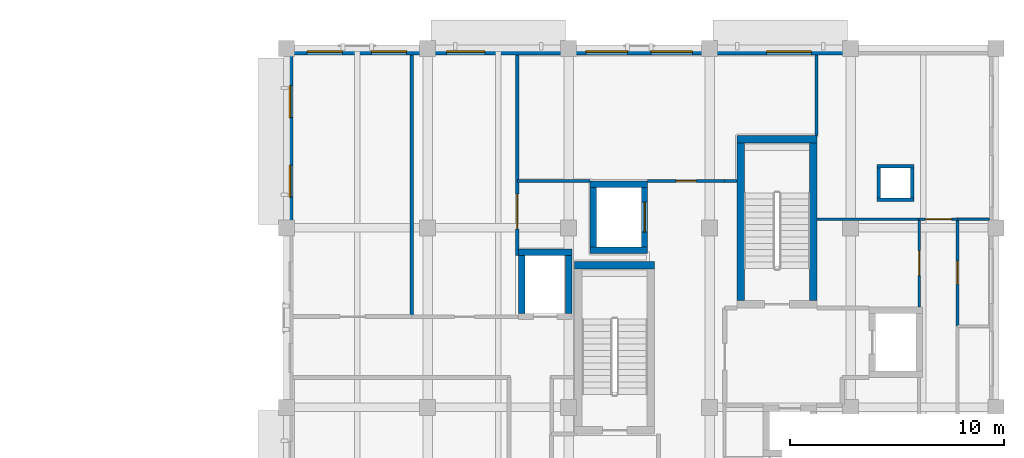
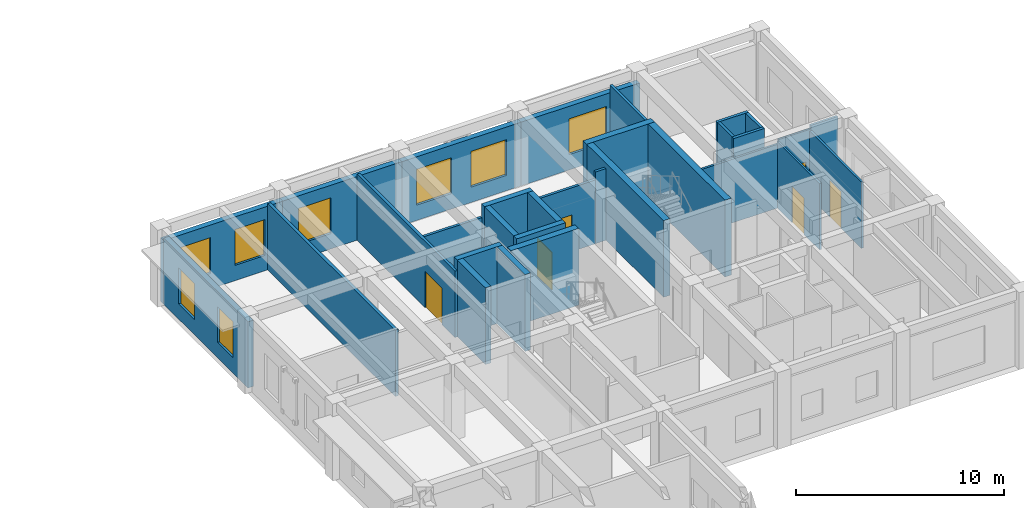
# One storey, part 14 of 25: 31 walls, 8 windows, 6 doors, 14 openings.
"""IFC4 building model written with IfcOpenShell, lengths in metres."""

from ifc_helpers import new_model, si_unit, direction, frame, frame_2d, origin, place, context, subcontext, project, spatial, rectangle, extrude, material, layer, layer_set, type_object, element, fill, save


model = new_model("IFC4")

# Units and contexts
model_context = context("Model", 3, precision=1e-05, world=origin(), true_north=direction((0.0, 1.0)))
body_context = subcontext(model_context, "Body", "Model", "MODEL_VIEW")
ifc_project = project(units=[si_unit("LENGTHUNIT", "METRE"), si_unit("AREAUNIT", "SQUARE_METRE"), si_unit("VOLUMEUNIT", "CUBIC_METRE"), si_unit("PLANEANGLEUNIT", "RADIAN"), si_unit("MASSUNIT", "GRAM", prefix="KILO")], contexts=[model_context])

# Site, building, storey
site_placement = place(None, origin())
site = spatial("IfcSite", under=ifc_project, at=site_placement, CompositionType="ELEMENT")
building_placement = place(site_placement, origin())
building = spatial("IfcBuilding", under=site, at=building_placement, Name="Kolvaren Faculty of Natural Sciences", CompositionType="ELEMENT")
storey_placement = place(building_placement, frame((0.0, 0.0, 19.5)))
storey = spatial("IfcBuildingStorey", under=building, at=storey_placement, Name="L04", CompositionType="ELEMENT", Elevation=19.5)

# Wall, opening, door
ifc_material_1 = material(Name="Acoustic mineral-wool insulated gypsum partition")
ifc_layer_1 = layer(ifc_material_1, 0.159912109375)
ifc_layer_set_1 = layer_set([ifc_layer_1], Name="Acoustic mineral-wool insulated gypsum partition")
wall_type_1 = type_object("IfcWallType", Name="ClassroomPartitionWall_160", PredefinedType="PARTITIONING", material=ifc_layer_set_1)
wall_1_placement = place(storey_placement, frame((149.60009765625, 83.89794921875, 0.0), z_axis=(0.0, 0.0, 1.0), x_axis=(0.0, -1.0, 0.0)))
wall_1 = element("IfcWall", 1, at=wall_1_placement, inside=storey, type_object=wall_type_1, Name="L04 interior partition PW-160", PredefinedType="PARTITIONING", context=body_context, shape_type="SweptSolid", body=[
    extrude(rectangle(XDim=9.39794921875, YDim=0.159912109375, at=frame_2d((4.698974609375, 0.0))), origin(), (0.0, 0.0, 1.0), 3.885009765625),
])
opening_1_placement = place(wall_1_placement, frame((6.5205078125, 0.0, 0.0)))
opening_1 = element("IfcOpeningElement", 2, at=opening_1_placement, cuts=wall_1, Name="Opening ID-29", PredefinedType="OPENING", context=body_context, shape_type="SweptSolid", body=[
    extrude(rectangle(XDim=1.6201171875, YDim=2.139892578125, at=frame_2d((0.81005859375, 1.06982421875))), frame((0.0, 0.08984375, 0.0), z_axis=(0.0, -1.0, 0.0), x_axis=(1.0, 0.0, 0.0)), (0.0, 0.0, 1.0), 0.179931640625),
])
ifc_material_2 = material(Name="Thermally broken anodised aluminium glazed door", Category="aluminium")
door_type_1 = type_object("IfcDoorType", Name="InteriorRoomDoor_1620x2140", OperationType="DOUBLE_DOOR_SINGLE_SWING", PredefinedType="DOOR", material=ifc_material_2)
door_1_placement = place(opening_1_placement, origin())
door_1 = element("IfcDoor", 3, at=door_1_placement, inside=storey, type_object=door_type_1, Name="D-L04-0298", OperationType="DOUBLE_DOOR_SINGLE_SWING", OverallHeight=2.139892578125, OverallWidth=1.6201171875, PredefinedType="DOOR", context=body_context, shape_type="SweptSolid", body=[
    extrude(rectangle(XDim=1.6201171875, YDim=2.139892578125, at=frame_2d((0.81005859375, 1.06982421875))), frame((0.0, 0.02490234375, 0.0), z_axis=(0.0, -1.0, 0.0), x_axis=(1.0, 0.0, 0.0)), (0.0, 0.0, 1.0), 0.050048828125),
])
fill(opening_1, door_1)

# Walls
ifc_layer_2 = layer(ifc_material_1, 0.14501953125)
ifc_layer_set_2 = layer_set([ifc_layer_2], Name="Acoustic mineral-wool insulated gypsum partition")
wall_type_2 = type_object("IfcWallType", Name="CommonsPartitionWall_145", PredefinedType="PARTITIONING", material=ifc_layer_set_2)
wall_2_placement = place(storey_placement, frame((153.0, 78.0, 0.0), z_axis=(0.0, 0.0, 1.0), x_axis=(-1.0, 0.0, 0.0)))
element("IfcWall", 4, at=wall_2_placement, inside=storey, type_object=wall_type_2, Name="L04 interior partition PW-145", PredefinedType="PARTITIONING", context=body_context, shape_type="SweptSolid", body=[
    extrude(rectangle(XDim=3.39990234375, YDim=0.14501953125, at=frame_2d((1.699951171875, 0.0))), origin(), (0.0, 0.0, 1.0), 3.735107421875),
])
wall_3_placement = place(storey_placement, frame((163.60009765625, 83.89794921875, 0.0), z_axis=(0.0, 0.0, 1.0), x_axis=(0.0, -1.0, 0.0)))
element("IfcWall", 5, at=wall_3_placement, inside=storey, type_object=wall_type_2, Name="L04 interior partition PW-145", PredefinedType="PARTITIONING", context=body_context, shape_type="SweptSolid", body=[
    extrude(rectangle(XDim=3.77099609375, YDim=0.14501953125, at=frame_2d((1.885498046875, 0.0))), origin(), (0.0, 0.0, 1.0), 4.195068359375),
])
wall_4_placement = place(storey_placement, frame((159.873046875, 78.0, 0.0), z_axis=(0.0, 0.0, 1.0), x_axis=(-1.0, 0.0, 0.0)))
element("IfcWall", 6, at=wall_4_placement, inside=storey, type_object=wall_type_2, Name="L04 interior partition PW-145", PredefinedType="PARTITIONING", context=body_context, shape_type="SweptSolid", body=[
    extrude(rectangle(XDim=0.572998046875, YDim=0.14501953125, at=frame_2d((0.28662109375, 0.0))), origin(), (0.0, 0.0, 1.0), 4.195068359375),
])

# Wall, opening, door
wall_5_placement = place(storey_placement, frame((159.300048828125, 78.0, 0.0), z_axis=(0.0, 0.0, 1.0), x_axis=(-1.0, 0.0, 0.0)))
wall_5 = element("IfcWall", 7, at=wall_5_placement, inside=storey, type_object=wall_type_2, Name="L04 interior partition PW-145", PredefinedType="PARTITIONING", context=body_context, shape_type="SweptSolid", body=[
    extrude(rectangle(XDim=3.60009765625, YDim=0.14501953125, at=frame_2d((1.800048828125, 0.0))), origin(), (0.0, 0.0, 1.0), 3.735107421875),
])
opening_2_placement = place(wall_5_placement, frame((1.320068359375, 0.0, 0.0)))
opening_2 = element("IfcOpeningElement", 8, at=opening_2_placement, cuts=wall_5, Name="Opening ID-20", PredefinedType="OPENING", context=body_context, shape_type="SweptSolid", body=[
    extrude(rectangle(XDim=0.9599609375, YDim=2.139892578125, at=frame_2d((0.47998046875, 1.06982421875))), frame((0.0, 0.08251953125, 0.0), z_axis=(0.0, -1.0, 0.0), x_axis=(1.0, 0.0, 0.0)), (0.0, 0.0, 1.0), 0.1650390625),
])
ifc_material_3 = material(Name="Solid-core hardwood veneer door leaf in steel frame", Category="steel")
door_type_2 = type_object("IfcDoorType", Name="InteriorRoomDoor_960x2140", OperationType="NOTDEFINED", PredefinedType="DOOR", material=ifc_material_3)
door_2_placement = place(opening_2_placement, origin())
door_2 = element("IfcDoor", 9, at=door_2_placement, inside=storey, type_object=door_type_2, Name="D-L04-0289", OperationType="SINGLE_SWING_RIGHT", OverallHeight=2.139892578125, OverallWidth=0.9599609375, PredefinedType="DOOR", context=body_context, shape_type="SweptSolid", body=[
    extrude(rectangle(XDim=0.9599609375, YDim=2.139892578125, at=frame_2d((0.47998046875, 1.06982421875))), frame((0.0, 0.02490234375, 0.0), z_axis=(0.0, -1.0, 0.0), x_axis=(1.0, 0.0, 0.0)), (0.0, 0.0, 1.0), 0.050048828125),
])
fill(opening_2, door_2)

# Walls
ifc_material_4 = material(Name="Concrete C40/50", Category="concrete")
ifc_layer_3 = layer(ifc_material_4, 0.35009765625)
ifc_layer_set_3 = layer_set([ifc_layer_3], Name="Concrete C40/50")
wall_type_3 = type_object("IfcWallType", Name="CoreShearWall_350", PredefinedType="SHEAR", material=ifc_layer_set_3)
wall_6_placement = place(storey_placement, frame((159.875, 79.949951171875, 0.0), z_axis=(0.0, 0.0, 1.0), x_axis=(1.0, 0.0, 0.0)))
element("IfcWall", 10, at=wall_6_placement, inside=storey, type_object=wall_type_3, Name="L04 CORE-C1 stair shear wall N", PredefinedType="SHEAR", context=body_context, shape_type="SweptSolid", body=[
    extrude(rectangle(XDim=3.75, YDim=0.35009765625, at=frame_2d((1.875, 0.0))), origin(), (0.0, 0.0, 1.0), 4.5),
])
for number, where, z_axis, x_axis, name in (
    (11, (160.050048828125, 72.39990234375, 0.0), (0.0, 0.0, 1.0), (0.0, 1.0, 0.0), "L04 CORE-C1 stair shear wall W"),
    (12, (163.449951171875, 72.39990234375, 0.0), (0.0, 0.0, 1.0), (0.0, 1.0, 0.0), "L04 CORE-C1 stair shear wall E"),
):
    element("IfcWall", number, at=place(storey_placement, frame(where, z_axis=z_axis, x_axis=x_axis)), inside=storey, type_object=wall_type_3, Name=name, PredefinedType="SHEAR", context=body_context, shape_type="SweptSolid", body=[
        extrude(rectangle(XDim=7.375, YDim=0.35009765625, at=frame_2d((3.6875, 0.0))), origin(), (0.0, 0.0, 1.0), 4.5),
    ])
wall_7_placement = place(storey_placement, frame((152.27490234375, 74.050048828125, 0.0), z_axis=(0.0, 0.0, 1.0), x_axis=(1.0, 0.0, 0.0)))
element("IfcWall", 13, at=wall_7_placement, inside=storey, type_object=wall_type_3, Name="L04 CORE-C2 stair shear wall N", PredefinedType="SHEAR", context=body_context, shape_type="SweptSolid", body=[
    extrude(rectangle(XDim=3.75, YDim=0.35009765625, at=frame_2d((1.875, 0.0))), origin(), (0.0, 0.0, 1.0), 4.5),
])

# Wall, openings, windows
ifc_material_5 = material(Name="Sandstone-faced insulated cavity masonry", Category="masonry")
ifc_layer_4 = layer(ifc_material_5, 0.300048828125)
ifc_layer_set_4 = layer_set([ifc_layer_4], Name="Sandstone-faced insulated cavity masonry")
wall_type_4 = type_object("IfcWallType", Name="ExteriorCavityWall_300", PredefinedType="STANDARD", material=ifc_layer_set_4)
wall_8_placement = place(storey_placement, frame((138.949951171875, 75.800048828125, 0.0), z_axis=(0.0, 0.0, 1.0), x_axis=(0.0, 1.0, 0.0)))
wall_8 = element("IfcWall", 14, at=wall_8_placement, inside=storey, type_object=wall_type_4, Name="L04 exterior masonry wall EW-300 (605)", PredefinedType="STANDARD", context=body_context, shape_type="SweptSolid", body=[
    extrude(rectangle(XDim=8.099853515625, YDim=0.300048828125, at=frame_2d((4.0498046875, 0.0))), origin(), (0.0, 0.0, 1.0), 3.885009765625),
])
opening_3_placement = place(wall_8_placement, frame((1.43701171875, 0.0, 0.89990234375)))
opening_3 = element("IfcOpeningElement", 15, at=opening_3_placement, cuts=wall_8, Name="Opening WIN-03", PredefinedType="OPENING", context=body_context, shape_type="SweptSolid", body=[
    extrude(rectangle(XDim=1.5, YDim=2.10009765625, at=frame_2d((0.75, 1.050048828125))), frame((0.0, 0.159912109375, 0.0), z_axis=(0.0, -1.0, 0.0), x_axis=(1.0, 0.0, 0.0)), (0.0, 0.0, 1.0), 0.320068359375),
])
opening_4_placement = place(wall_8_placement, frame((5.1630859375, 0.0, 0.89990234375)))
opening_4 = element("IfcOpeningElement", 16, at=opening_4_placement, cuts=wall_8, Name="Opening WIN-03", PredefinedType="OPENING", context=body_context, shape_type="SweptSolid", body=[
    extrude(rectangle(XDim=1.5, YDim=2.10009765625, at=frame_2d((0.75, 1.050048828125))), frame((0.0, 0.159912109375, 0.0), z_axis=(0.0, -1.0, 0.0), x_axis=(1.0, 0.0, 0.0)), (0.0, 0.0, 1.0), 0.320068359375),
])
ifc_material_6 = material(Name="Double low-E solar control insulated glazing", Category="glass")
window_type_1 = type_object("IfcWindowType", Name="AluWindow_WIN03_1500x2100", PartitioningType="SINGLE_PANEL", PredefinedType="WINDOW", material=ifc_material_6)
window_1_placement = place(opening_3_placement, origin())
window_1 = element("IfcWindow", 17, at=window_1_placement, inside=storey, type_object=window_type_1, Name="WIN-L04-0392", OverallHeight=2.10009765625, OverallWidth=1.5, PartitioningType="SINGLE_PANEL", PredefinedType="WINDOW", context=body_context, shape_type="SweptSolid", body=[
    extrude(rectangle(XDim=1.5, YDim=2.10009765625, at=frame_2d((0.75, 1.050048828125))), frame((0.0, 0.030029296875, 0.0), z_axis=(0.0, -1.0, 0.0), x_axis=(1.0, 0.0, 0.0)), (0.0, 0.0, 1.0), 0.06005859375),
])
fill(opening_3, window_1)
window_2_placement = place(opening_4_placement, origin())
window_2 = element("IfcWindow", 18, at=window_2_placement, inside=storey, type_object=window_type_1, Name="WIN-L04-0393", OverallHeight=2.10009765625, OverallWidth=1.5, PartitioningType="SINGLE_PANEL", PredefinedType="WINDOW", context=body_context, shape_type="SweptSolid", body=[
    extrude(rectangle(XDim=1.5, YDim=2.10009765625, at=frame_2d((0.75, 1.050048828125))), frame((0.0, 0.030029296875, 0.0), z_axis=(0.0, -1.0, 0.0), x_axis=(1.0, 0.0, 0.0)), (0.0, 0.0, 1.0), 0.06005859375),
])
fill(opening_4, window_2)

wall_9_placement = place(storey_placement, frame((138.800048828125, 84.050048828125, 0.0), z_axis=(0.0, 0.0, 1.0), x_axis=(1.0, 0.0, 0.0)))
wall_9 = element("IfcWall", 19, at=wall_9_placement, inside=storey, type_object=wall_type_4, Name="L04 exterior masonry wall EW-300 (606)", PredefinedType="STANDARD", context=body_context, shape_type="SweptSolid", body=[
    extrude(rectangle(XDim=6.599853515625, YDim=0.300048828125, at=frame_2d((3.2998046875, 0.0))), origin(), (0.0, 0.0, 1.0), 3.735107421875),
])
opening_5_placement = place(wall_9_placement, frame((0.95703125, 0.0, 0.89990234375)))
opening_5 = element("IfcOpeningElement", 20, at=opening_5_placement, cuts=wall_9, Name="Opening WIN-04", PredefinedType="OPENING", context=body_context, shape_type="SweptSolid", body=[
    extrude(rectangle(XDim=1.64990234375, YDim=2.10009765625, at=frame_2d((0.824951171875, 1.050048828125))), frame((0.0, 0.159912109375, 0.0), z_axis=(0.0, -1.0, 0.0), x_axis=(1.0, 0.0, 0.0)), (0.0, 0.0, 1.0), 0.320068359375),
])
opening_6_placement = place(wall_9_placement, frame((3.9599609375, 0.0, 0.89990234375)))
opening_6 = element("IfcOpeningElement", 21, at=opening_6_placement, cuts=wall_9, Name="Opening WIN-04", PredefinedType="OPENING", context=body_context, shape_type="SweptSolid", body=[
    extrude(rectangle(XDim=1.64990234375, YDim=2.10009765625, at=frame_2d((0.824951171875, 1.050048828125))), frame((0.0, 0.159912109375, 0.0), z_axis=(0.0, -1.0, 0.0), x_axis=(1.0, 0.0, 0.0)), (0.0, 0.0, 1.0), 0.320068359375),
])
window_type_2 = type_object("IfcWindowType", Name="AluWindow_WIN04_1650x2100", PartitioningType="SINGLE_PANEL", PredefinedType="WINDOW", material=ifc_material_6)
window_3_placement = place(opening_5_placement, origin())
window_3 = element("IfcWindow", 22, at=window_3_placement, inside=storey, type_object=window_type_2, Name="WIN-L04-0394", OverallHeight=2.10009765625, OverallWidth=1.64990234375, PartitioningType="SINGLE_PANEL", PredefinedType="WINDOW", context=body_context, shape_type="SweptSolid", body=[
    extrude(rectangle(XDim=1.64990234375, YDim=2.10009765625, at=frame_2d((0.824951171875, 1.050048828125))), frame((0.0, 0.030029296875, 0.0), z_axis=(0.0, -1.0, 0.0), x_axis=(1.0, 0.0, 0.0)), (0.0, 0.0, 1.0), 0.06005859375),
])
fill(opening_5, window_3)
window_4_placement = place(opening_6_placement, origin())
window_4 = element("IfcWindow", 23, at=window_4_placement, inside=storey, type_object=window_type_2, Name="WIN-L04-0395", OverallHeight=2.10009765625, OverallWidth=1.64990234375, PartitioningType="SINGLE_PANEL", PredefinedType="WINDOW", context=body_context, shape_type="SweptSolid", body=[
    extrude(rectangle(XDim=1.64990234375, YDim=2.10009765625, at=frame_2d((0.824951171875, 1.050048828125))), frame((0.0, 0.030029296875, 0.0), z_axis=(0.0, -1.0, 0.0), x_axis=(1.0, 0.0, 0.0)), (0.0, 0.0, 1.0), 0.06005859375),
])
fill(opening_6, window_4)

# Wall, opening, window
wall_10_placement = place(storey_placement, frame((145.39990234375, 84.050048828125, 0.0), z_axis=(0.0, 0.0, 1.0), x_axis=(1.0, 0.0, 0.0)))
wall_10 = element("IfcWall", 24, at=wall_10_placement, inside=storey, type_object=wall_type_4, Name="L04 exterior masonry wall EW-300 (607)", PredefinedType="STANDARD", context=body_context, shape_type="SweptSolid", body=[
    extrude(rectangle(XDim=6.60009765625, YDim=0.300048828125, at=frame_2d((3.300048828125, 0.0))), origin(), (0.0, 0.0, 1.0), 3.735107421875),
])
opening_7_placement = place(wall_10_placement, frame((0.882080078125, 0.0, 0.89990234375)))
opening_7 = element("IfcOpeningElement", 25, at=opening_7_placement, cuts=wall_10, Name="Opening WIN-05", PredefinedType="OPENING", context=body_context, shape_type="SweptSolid", body=[
    extrude(rectangle(XDim=1.800048828125, YDim=2.10009765625, at=frame_2d((0.89990234375, 1.050048828125))), frame((0.0, 0.159912109375, 0.0), z_axis=(0.0, -1.0, 0.0), x_axis=(1.0, 0.0, 0.0)), (0.0, 0.0, 1.0), 0.320068359375),
])
window_type_3 = type_object("IfcWindowType", Name="AluWindow_WIN05_1800x2100", PartitioningType="SINGLE_PANEL", PredefinedType="WINDOW", material=ifc_material_6)
window_5_placement = place(opening_7_placement, origin())
window_5 = element("IfcWindow", 26, at=window_5_placement, inside=storey, type_object=window_type_3, Name="WIN-L04-0396", OverallHeight=2.10009765625, OverallWidth=1.800048828125, PartitioningType="SINGLE_PANEL", PredefinedType="WINDOW", context=body_context, shape_type="SweptSolid", body=[
    extrude(rectangle(XDim=1.800048828125, YDim=2.10009765625, at=frame_2d((0.89990234375, 1.050048828125))), frame((0.0, 0.030029296875, 0.0), z_axis=(0.0, -1.0, 0.0), x_axis=(1.0, 0.0, 0.0)), (0.0, 0.0, 1.0), 0.06005859375),
])
fill(opening_7, window_5)

# Wall, openings, windows
wall_11_placement = place(storey_placement, frame((152.0, 84.050048828125, 0.0), z_axis=(0.0, 0.0, 1.0), x_axis=(1.0, 0.0, 0.0)))
wall_11 = element("IfcWall", 27, at=wall_11_placement, inside=storey, type_object=wall_type_4, Name="L04 exterior masonry wall EW-300 (608)", PredefinedType="STANDARD", context=body_context, shape_type="SweptSolid", body=[
    extrude(rectangle(XDim=6.60009765625, YDim=0.300048828125, at=frame_2d((3.300048828125, 0.0))), origin(), (0.0, 0.0, 1.0), 3.735107421875),
])
opening_8_placement = place(wall_11_placement, frame((0.806884765625, 0.0, 0.89990234375)))
opening_8 = element("IfcOpeningElement", 28, at=opening_8_placement, cuts=wall_11, Name="Opening WIN-06", PredefinedType="OPENING", context=body_context, shape_type="SweptSolid", body=[
    extrude(rectangle(XDim=1.949951171875, YDim=2.10009765625, at=frame_2d((0.97509765625, 1.050048828125))), frame((0.0, 0.159912109375, 0.0), z_axis=(0.0, -1.0, 0.0), x_axis=(1.0, 0.0, 0.0)), (0.0, 0.0, 1.0), 0.320068359375),
])
opening_9_placement = place(wall_11_placement, frame((3.843017578125, 0.0, 0.89990234375)))
opening_9 = element("IfcOpeningElement", 29, at=opening_9_placement, cuts=wall_11, Name="Opening WIN-06", PredefinedType="OPENING", context=body_context, shape_type="SweptSolid", body=[
    extrude(rectangle(XDim=1.949951171875, YDim=2.10009765625, at=frame_2d((0.97509765625, 1.050048828125))), frame((0.0, 0.159912109375, 0.0), z_axis=(0.0, -1.0, 0.0), x_axis=(1.0, 0.0, 0.0)), (0.0, 0.0, 1.0), 0.320068359375),
])
window_type_4 = type_object("IfcWindowType", Name="AluWindow_WIN06_1950x2100", PartitioningType="SINGLE_PANEL", PredefinedType="WINDOW", material=ifc_material_6)
window_6_placement = place(opening_8_placement, origin())
window_6 = element("IfcWindow", 30, at=window_6_placement, inside=storey, type_object=window_type_4, Name="WIN-L04-0397", OverallHeight=2.10009765625, OverallWidth=1.949951171875, PartitioningType="SINGLE_PANEL", PredefinedType="WINDOW", context=body_context, shape_type="SweptSolid", body=[
    extrude(rectangle(XDim=1.949951171875, YDim=2.10009765625, at=frame_2d((0.97509765625, 1.050048828125))), frame((0.0, 0.030029296875, 0.0), z_axis=(0.0, -1.0, 0.0), x_axis=(1.0, 0.0, 0.0)), (0.0, 0.0, 1.0), 0.06005859375),
])
fill(opening_8, window_6)
window_7_placement = place(opening_9_placement, origin())
window_7 = element("IfcWindow", 31, at=window_7_placement, inside=storey, type_object=window_type_4, Name="WIN-L04-0398", OverallHeight=2.10009765625, OverallWidth=1.949951171875, PartitioningType="SINGLE_PANEL", PredefinedType="WINDOW", context=body_context, shape_type="SweptSolid", body=[
    extrude(rectangle(XDim=1.949951171875, YDim=2.10009765625, at=frame_2d((0.97509765625, 1.050048828125))), frame((0.0, 0.030029296875, 0.0), z_axis=(0.0, -1.0, 0.0), x_axis=(1.0, 0.0, 0.0)), (0.0, 0.0, 1.0), 0.06005859375),
])
fill(opening_9, window_7)

# Wall, opening, window
wall_12_placement = place(storey_placement, frame((158.60009765625, 84.050048828125, 0.0), z_axis=(0.0, 0.0, 1.0), x_axis=(1.0, 0.0, 0.0)))
wall_12 = element("IfcWall", 32, at=wall_12_placement, inside=storey, type_object=wall_type_4, Name="L04 exterior masonry wall EW-300 (609)", PredefinedType="STANDARD", context=body_context, shape_type="SweptSolid", body=[
    extrude(rectangle(XDim=6.599853515625, YDim=0.300048828125, at=frame_2d((3.2998046875, 0.0))), origin(), (0.0, 0.0, 1.0), 3.735107421875),
])
opening_10_placement = place(wall_12_placement, frame((2.659912109375, 0.0, 0.89990234375)))
opening_10 = element("IfcOpeningElement", 33, at=opening_10_placement, cuts=wall_12, Name="Opening WIN-07", PredefinedType="OPENING", context=body_context, shape_type="SweptSolid", body=[
    extrude(rectangle(XDim=2.10009765625, YDim=2.10009765625, at=frame_2d((1.050048828125, 1.050048828125))), frame((0.0, 0.159912109375, 0.0), z_axis=(0.0, -1.0, 0.0), x_axis=(1.0, 0.0, 0.0)), (0.0, 0.0, 1.0), 0.320068359375),
])
window_type_5 = type_object("IfcWindowType", Name="AluWindow_WIN07_2100x2100", PartitioningType="SINGLE_PANEL", PredefinedType="WINDOW", material=ifc_material_6)
window_8_placement = place(opening_10_placement, origin())
window_8 = element("IfcWindow", 34, at=window_8_placement, inside=storey, type_object=window_type_5, Name="WIN-L04-0399", OverallHeight=2.10009765625, OverallWidth=2.10009765625, PartitioningType="SINGLE_PANEL", PredefinedType="WINDOW", context=body_context, shape_type="SweptSolid", body=[
    extrude(rectangle(XDim=2.10009765625, YDim=2.10009765625, at=frame_2d((1.050048828125, 1.050048828125))), frame((0.0, 0.030029296875, 0.0), z_axis=(0.0, -1.0, 0.0), x_axis=(1.0, 0.0, 0.0)), (0.0, 0.0, 1.0), 0.06005859375),
])
fill(opening_10, window_8)

# Walls
ifc_material_7 = material(Name="Double fire-rated gypsum board on 100 mm steel stud", Category="steel")
ifc_layer_5 = layer(ifc_material_7, 0.159912109375)
ifc_layer_set_5 = layer_set([ifc_layer_5], Name="Double fire-rated gypsum board on 100 mm steel stud")
wall_type_5 = type_object("IfcWallType", Name="RiserShaftWall_160", PredefinedType="PARTITIONING", material=ifc_layer_set_5)
for number, where, z_axis, x_axis, name in (
    (35, (166.43994140625, 77.1201171875, 0.0), (0.0, 0.0, 1.0), (1.0, 0.0, 0.0), "L04 service riser shaft wall S"),
    (36, (166.43994140625, 78.679931640625, 0.0), (0.0, 0.0, 1.0), (1.0, 0.0, 0.0), "L04 service riser shaft wall N"),
):
    element("IfcWall", number, at=place(storey_placement, frame(where, z_axis=z_axis, x_axis=x_axis)), inside=storey, type_object=wall_type_5, Name=name, PredefinedType="PARTITIONING", context=body_context, shape_type="SweptSolid", body=[
        extrude(rectangle(XDim=1.719970703125, YDim=0.159912109375, at=frame_2d((0.85986328125, 0.0))), origin(), (0.0, 0.0, 1.0), 4.195068359375),
    ])
for number, where, z_axis, x_axis, name in (
    (37, (166.52001953125, 77.199951171875, 0.0), (0.0, 0.0, 1.0), (0.0, 1.0, 0.0), "L04 service riser shaft wall W"),
    (38, (168.080078125, 77.199951171875, 0.0), (0.0, 0.0, 1.0), (0.0, 1.0, 0.0), "L04 service riser shaft wall E"),
):
    element("IfcWall", number, at=place(storey_placement, frame(where, z_axis=z_axis, x_axis=x_axis)), inside=storey, type_object=wall_type_5, Name=name, PredefinedType="PARTITIONING", context=body_context, shape_type="SweptSolid", body=[
        extrude(rectangle(XDim=1.400146484375, YDim=0.159912109375, at=frame_2d((0.7001953125, 0.0))), origin(), (0.0, 0.0, 1.0), 4.195068359375),
    ])
ifc_layer_6 = layer(ifc_material_1, 0.169921875)
ifc_layer_set_6 = layer_set([ifc_layer_6], Name="Acoustic mineral-wool insulated gypsum partition")
wall_type_6 = type_object("IfcWallType", Name="SeminarPartitionWall_170", PredefinedType="PARTITIONING", material=ifc_layer_set_6)
wall_13_placement = place(storey_placement, frame((144.64990234375, 83.89794921875, 0.0), z_axis=(0.0, 0.0, 1.0), x_axis=(0.0, -1.0, 0.0)))
element("IfcWall", 39, at=wall_13_placement, inside=storey, type_object=wall_type_6, Name="L04 interior partition PW-170", PredefinedType="PARTITIONING", context=body_context, shape_type="SweptSolid", body=[
    extrude(rectangle(XDim=12.248046875, YDim=0.169921875, at=frame_2d((6.1240234375, 0.0))), origin(), (0.0, 0.0, 1.0), 3.885009765625),
])
ifc_layer_7 = layer(ifc_material_4, 0.300048828125)
ifc_layer_set_7 = layer_set([ifc_layer_7], Name="Concrete C40/50")
wall_type_7 = type_object("IfcWallType", Name="ShaftShearWall_300", PredefinedType="SHEAR", material=ifc_layer_set_7)
wall_14_placement = place(storey_placement, frame((149.64990234375, 74.64990234375, 0.0), z_axis=(0.0, 0.0, 1.0), x_axis=(1.0, 0.0, 0.0)))
element("IfcWall", 40, at=wall_14_placement, inside=storey, type_object=wall_type_7, Name="L04 lift FL-2 shaft wall N", PredefinedType="SHEAR", context=body_context, shape_type="SweptSolid", body=[
    extrude(rectangle(XDim=2.5, YDim=0.300048828125, at=frame_2d((1.25, 0.0))), origin(), (0.0, 0.0, 1.0), 4.5),
])
for number, where, z_axis, x_axis, name in (
    (41, (149.800048828125, 71.800048828125, 0.0), (0.0, 0.0, 1.0), (0.0, 1.0, 0.0), "L04 lift FL-2 shaft wall W"),
    (42, (152.0, 71.800048828125, 0.0), (0.0, 0.0, 1.0), (0.0, 1.0, 0.0), "L04 lift FL-2 shaft wall E"),
    (43, (153.0, 74.75, 0.0), (0.0, 0.0, 1.0), (1.0, 0.0, 0.0), "L04 lift GL-2 shaft wall S"),
    (44, (153.0, 77.85009765625, 0.0), (0.0, 0.0, 1.0), (1.0, 0.0, 0.0), "L04 lift GL-2 shaft wall N"),
):
    element("IfcWall", number, at=place(storey_placement, frame(where, z_axis=z_axis, x_axis=x_axis)), inside=storey, type_object=wall_type_7, Name=name, PredefinedType="SHEAR", context=body_context, shape_type="SweptSolid", body=[
        extrude(rectangle(XDim=2.699951171875, YDim=0.300048828125, at=frame_2d((1.35009765625, 0.0))), origin(), (0.0, 0.0, 1.0), 4.5),
    ])
wall_15_placement = place(storey_placement, frame((153.14990234375, 74.89990234375, 0.0), z_axis=(0.0, 0.0, 1.0), x_axis=(0.0, 1.0, 0.0)))
element("IfcWall", 45, at=wall_15_placement, inside=storey, type_object=wall_type_7, Name="L04 lift GL-2 shaft wall W", PredefinedType="SHEAR", context=body_context, shape_type="SweptSolid", body=[
    extrude(rectangle(XDim=2.800048828125, YDim=0.300048828125, at=frame_2d((1.39990234375, 0.0))), origin(), (0.0, 0.0, 1.0), 4.5),
])

# Wall, opening, door
wall_16_placement = place(storey_placement, frame((155.550048828125, 74.89990234375, 0.0), z_axis=(0.0, 0.0, 1.0), x_axis=(0.0, 1.0, 0.0)))
wall_16 = element("IfcWall", 46, at=wall_16_placement, inside=storey, type_object=wall_type_7, Name="L04 lift GL-2 shaft wall E", PredefinedType="SHEAR", context=body_context, shape_type="SweptSolid", body=[
    extrude(rectangle(XDim=2.800048828125, YDim=0.300048828125, at=frame_2d((1.39990234375, 0.0))), origin(), (0.0, 0.0, 1.0), 4.5),
])
opening_11_placement = place(wall_16_placement, frame((0.699951171875, 0.0, 0.0)))
opening_11 = element("IfcOpeningElement", 47, at=opening_11_placement, cuts=wall_16, Name="Opening LD-03", PredefinedType="OPENING", context=body_context, shape_type="SweptSolid", body=[
    extrude(rectangle(XDim=1.39990234375, YDim=2.199951171875, at=frame_2d((0.699951171875, 1.10009765625))), frame((0.0, 0.159912109375, 0.0), z_axis=(0.0, -1.0, 0.0), x_axis=(1.0, 0.0, 0.0)), (0.0, 0.0, 1.0), 0.320068359375),
])
ifc_material_8 = material(Name="Brushed stainless steel lift car and sliding door assembly", Category="steel")
door_type_3 = type_object("IfcDoorType", Name="GoodsLiftSliding_1400x2200", OperationType="DOUBLE_DOOR_SLIDING", PredefinedType="DOOR", material=ifc_material_8)
door_3_placement = place(opening_11_placement, origin())
door_3 = element("IfcDoor", 48, at=door_3_placement, inside=storey, type_object=door_type_3, Name="D-LIFT-GL-2-L04", OperationType="DOUBLE_DOOR_SLIDING", OverallHeight=2.199951171875, OverallWidth=1.39990234375, PredefinedType="DOOR", context=body_context, shape_type="SweptSolid", body=[
    extrude(rectangle(XDim=1.39990234375, YDim=2.199951171875, at=frame_2d((0.699951171875, 1.10009765625))), frame((0.0, 0.02490234375, 0.0), z_axis=(0.0, -1.0, 0.0), x_axis=(1.0, 0.0, 0.0)), (0.0, 0.0, 1.0), 0.050048828125),
])
fill(opening_11, door_3)

ifc_layer_8 = layer(ifc_material_1, 0.114990234375)
ifc_layer_set_8 = layer_set([ifc_layer_8], Name="Acoustic mineral-wool insulated gypsum partition")
wall_type_8 = type_object("IfcWallType", Name="StorePartitionWall_115", PredefinedType="PARTITIONING", material=ifc_layer_set_8)
wall_17_placement = place(storey_placement, frame((168.39990234375, 76.199951171875, 0.0), z_axis=(0.0, 0.0, 1.0), x_axis=(0.0, -1.0, 0.0)))
wall_17 = element("IfcWall", 49, at=wall_17_placement, inside=storey, type_object=wall_type_8, Name="L04 interior partition PW-115", PredefinedType="PARTITIONING", context=body_context, shape_type="SweptSolid", body=[
    extrude(rectangle(XDim=4.097900390625, YDim=0.114990234375, at=frame_2d((2.048828125, 0.0))), origin(), (0.0, 0.0, 1.0), 3.885009765625),
])
opening_12_placement = place(wall_17_placement, frame((1.468994140625, 0.0, 0.0)))
opening_12 = element("IfcOpeningElement", 50, at=opening_12_placement, cuts=wall_17, Name="Opening ID-24", PredefinedType="OPENING", context=body_context, shape_type="SweptSolid", body=[
    extrude(rectangle(XDim=1.159912109375, YDim=2.139892578125, at=frame_2d((0.580078125, 1.06982421875))), frame((0.0, 0.0673828125, 0.0), z_axis=(0.0, -1.0, 0.0), x_axis=(1.0, 0.0, 0.0)), (0.0, 0.0, 1.0), 0.135009765625),
])
door_type_4 = type_object("IfcDoorType", Name="InteriorRoomDoor_1160x2140", OperationType="NOTDEFINED", PredefinedType="DOOR", material=ifc_material_3)
door_4_placement = place(opening_12_placement, origin())
door_4 = element("IfcDoor", 51, at=door_4_placement, inside=storey, type_object=door_type_4, Name="D-L04-0293", OperationType="SINGLE_SWING_RIGHT", OverallHeight=2.139892578125, OverallWidth=1.159912109375, PredefinedType="DOOR", context=body_context, shape_type="SweptSolid", body=[
    extrude(rectangle(XDim=1.159912109375, YDim=2.139892578125, at=frame_2d((0.580078125, 1.06982421875))), frame((0.0, 0.02490234375, 0.0), z_axis=(0.0, -1.0, 0.0), x_axis=(1.0, 0.0, 0.0)), (0.0, 0.0, 1.0), 0.050048828125),
])
fill(opening_12, door_4)

# Walls
wall_18_placement = place(storey_placement, frame((163.626953125, 76.199951171875, 0.0), z_axis=(0.0, 0.0, 1.0), x_axis=(1.0, 0.0, 0.0)))
element("IfcWall", 52, at=wall_18_placement, inside=storey, type_object=wall_type_8, Name="L04 interior partition PW-115", PredefinedType="PARTITIONING", context=body_context, shape_type="SweptSolid", body=[
    extrude(rectangle(XDim=4.77294921875, YDim=0.114990234375, at=frame_2d((2.386474609375, 0.0))), origin(), (0.0, 0.0, 1.0), 3.735107421875),
])
ifc_layer_9 = layer(ifc_material_1, 0.1201171875)
ifc_layer_set_9 = layer_set([ifc_layer_9], Name="Acoustic mineral-wool insulated gypsum partition")
wall_type_9 = type_object("IfcWallType", Name="StudioPartitionWall_120", PredefinedType="PARTITIONING", material=ifc_layer_set_9)
wall_19_placement = place(storey_placement, frame((170.199951171875, 76.199951171875, 0.0), z_axis=(0.0, 0.0, 1.0), x_axis=(1.0, 0.0, 0.0)))
element("IfcWall", 53, at=wall_19_placement, inside=storey, type_object=wall_type_9, Name="L04 interior partition PW-120", PredefinedType="PARTITIONING", context=body_context, shape_type="SweptSolid", body=[
    extrude(rectangle(XDim=1.498046875, YDim=0.1201171875, at=frame_2d((0.7490234375, 0.0))), origin(), (0.0, 0.0, 1.0), 4.195068359375),
])

# Wall, opening, door
wall_20_placement = place(storey_placement, frame((170.199951171875, 71.199951171875, 0.0), z_axis=(0.0, 0.0, 1.0), x_axis=(0.0, 1.0, 0.0)))
wall_20 = element("IfcWall", 54, at=wall_20_placement, inside=storey, type_object=wall_type_9, Name="L04 interior partition PW-120", PredefinedType="PARTITIONING", context=body_context, shape_type="SweptSolid", body=[
    extrude(rectangle(XDim=5.0, YDim=0.1201171875, at=frame_2d((2.5, 0.0))), origin(), (0.0, 0.0, 1.0), 3.885009765625),
])
opening_13_placement = place(wall_20_placement, frame((1.9599609375, 0.0, 0.0)))
opening_13 = element("IfcOpeningElement", 55, at=opening_13_placement, cuts=wall_20, Name="Opening ID-23", PredefinedType="OPENING", context=body_context, shape_type="SweptSolid", body=[
    extrude(rectangle(XDim=1.080078125, YDim=2.139892578125, at=frame_2d((0.5400390625, 1.06982421875))), frame((0.0, 0.070068359375, 0.0), z_axis=(0.0, -1.0, 0.0), x_axis=(1.0, 0.0, 0.0)), (0.0, 0.0, 1.0), 0.14013671875),
])
door_type_5 = type_object("IfcDoorType", Name="InteriorRoomDoor_1080x2140", OperationType="NOTDEFINED", PredefinedType="DOOR", material=ifc_material_3)
door_5_placement = place(opening_13_placement, origin())
door_5 = element("IfcDoor", 56, at=door_5_placement, inside=storey, type_object=door_type_5, Name="D-L04-0292", OperationType="SINGLE_SWING_LEFT", OverallHeight=2.139892578125, OverallWidth=1.080078125, PredefinedType="DOOR", context=body_context, shape_type="SweptSolid", body=[
    extrude(rectangle(XDim=1.080078125, YDim=2.139892578125, at=frame_2d((0.5400390625, 1.06982421875))), frame((0.0, 0.02490234375, 0.0), z_axis=(0.0, -1.0, 0.0), x_axis=(1.0, 0.0, 0.0)), (0.0, 0.0, 1.0), 0.050048828125),
])
fill(opening_13, door_5)

ifc_layer_10 = layer(ifc_material_1, 0.10498046875)
ifc_layer_set_10 = layer_set([ifc_layer_10], Name="Acoustic mineral-wool insulated gypsum partition")
wall_type_10 = type_object("IfcWallType", Name="WetRoomPartition_105", PredefinedType="PARTITIONING", material=ifc_layer_set_10)
wall_21_placement = place(storey_placement, frame((170.199951171875, 76.199951171875, 0.0), z_axis=(0.0, 0.0, 1.0), x_axis=(-1.0, 0.0, 0.0)))
wall_21 = element("IfcWall", 57, at=wall_21_placement, inside=storey, type_object=wall_type_10, Name="L04 interior partition PW-105", PredefinedType="PARTITIONING", context=body_context, shape_type="SweptSolid", body=[
    extrude(rectangle(XDim=1.800048828125, YDim=0.10498046875, at=frame_2d((0.89990234375, 0.0))), origin(), (0.0, 0.0, 1.0), 3.985107421875),
])
opening_14_placement = place(wall_21_placement, frame((0.280029296875, 0.0, 0.0)))
opening_14 = element("IfcOpeningElement", 58, at=opening_14_placement, cuts=wall_21, Name="Opening ID-25", PredefinedType="OPENING", context=body_context, shape_type="SweptSolid", body=[
    extrude(rectangle(XDim=1.239990234375, YDim=2.139892578125, at=frame_2d((0.6201171875, 1.06982421875))), frame((0.0, 0.0625, 0.0), z_axis=(0.0, -1.0, 0.0), x_axis=(1.0, 0.0, 0.0)), (0.0, 0.0, 1.0), 0.125),
])
door_type_6 = type_object("IfcDoorType", Name="InteriorRoomDoor_1240x2140", OperationType="NOTDEFINED", PredefinedType="DOOR", material=ifc_material_3)
door_6_placement = place(opening_14_placement, origin())
door_6 = element("IfcDoor", 59, at=door_6_placement, inside=storey, type_object=door_type_6, Name="D-L04-0294", OperationType="SINGLE_SWING_LEFT", OverallHeight=2.139892578125, OverallWidth=1.239990234375, PredefinedType="DOOR", context=body_context, shape_type="SweptSolid", body=[
    extrude(rectangle(XDim=1.239990234375, YDim=2.139892578125, at=frame_2d((0.6201171875, 1.06982421875))), frame((0.0, 0.02490234375, 0.0), z_axis=(0.0, -1.0, 0.0), x_axis=(1.0, 0.0, 0.0)), (0.0, 0.0, 1.0), 0.050048828125),
])
fill(opening_14, door_6)

save(model, "model.ifc")
